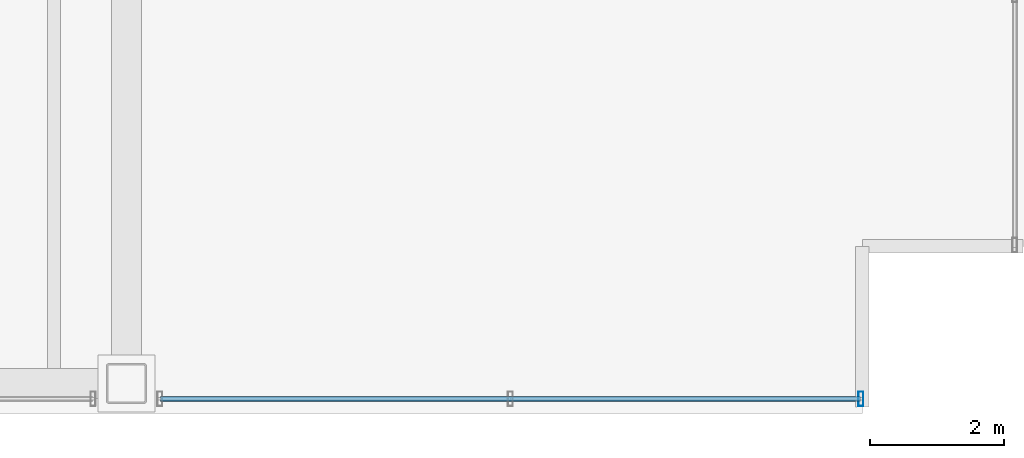
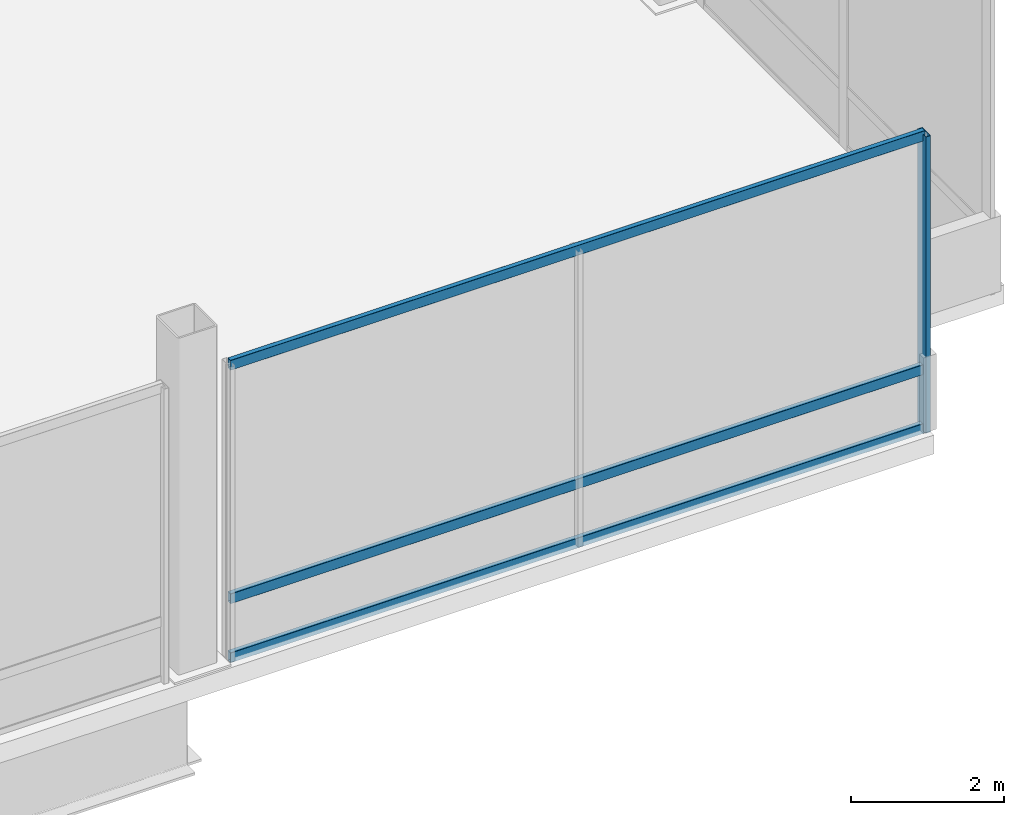
# One storey, part 12 of 20: 4 members, 1 element without a shape of its own.
"""IFC4 building model written with IfcOpenShell, lengths in metres."""

from ifc_helpers import new_model, si_unit, direction, frame, origin, origin_2d, place, context, subcontext, project, spatial, hollow_rectangle, extrude, material, material_profile, profile_set, type_object, element, aggregate, save


model = new_model("IFC4")

# Units and contexts
model_context = context("Model", 3, precision=1e-05, world=origin(), true_north=direction((0.0, 1.0)))
body_context = subcontext(model_context, "Body", "Model", "MODEL_VIEW")
ifc_project = project(units=[si_unit("LENGTHUNIT", "METRE"), si_unit("AREAUNIT", "SQUARE_METRE"), si_unit("VOLUMEUNIT", "CUBIC_METRE"), si_unit("PLANEANGLEUNIT", "RADIAN"), si_unit("MASSUNIT", "GRAM", prefix="KILO")], contexts=[model_context])

# Site, building, storey
site_placement = place(None, origin())
site = spatial("IfcSite", under=ifc_project, at=site_placement, CompositionType="ELEMENT")
building_placement = place(site_placement, origin())
building = spatial("IfcBuilding", under=site, at=building_placement, Name="Noeulbin Bourse Tower", CompositionType="ELEMENT")
storey_placement = place(building_placement, frame((0.0, 0.0, 100.60009765625)))
storey = spatial("IfcBuildingStorey", under=building, at=storey_placement, Name="L25", CompositionType="ELEMENT", Elevation=100.60009765625)

# Curtain wall, members
ifc_material_1 = material(Name="Translucent Ceramic-Fritted Glass", Category="glass")
curtain_wall_type = type_object("IfcCurtainWallType", Name="CW-SYS-5", PredefinedType="NOTDEFINED", material=ifc_material_1)
curtain_wall_placement = place(storey_placement, origin())
curtain_wall = element("IfcCurtainWall", 1, at=curtain_wall_placement, inside=storey, type_object=curtain_wall_type, Name="Unitised Curtain Wall CW-L25-S2-S4", PredefinedType="NOTDEFINED")
ifc_material_2 = material(Name="Anodised Aluminium 6063-T6", Category="aluminium")
ifc_material_profile_1 = material_profile(ifc_material_2, hollow_rectangle(XDim=0.074951171875, YDim=0.219970703125, WallThickness=0.0048828125, InnerFilletRadius=0.00244140625, OuterFilletRadius=0.0048828125, at=origin_2d()), Name="ALU-MULL-75x220x5", Category="LoadBearing")
ifc_profile_set_1 = profile_set([ifc_material_profile_1], Name="Anodised Aluminium 6063-T6")
member_type_1 = type_object("IfcMemberType", Name="CW-SYS-5-MUL", PredefinedType="MULLION", material=ifc_profile_set_1)
member_1_placement = place(storey_placement, frame((54.97998046875, 9.719970703125, -0.02001953125), z_axis=(0.0, 0.0, 1.0), x_axis=(1.0, 0.0, 0.0)))
member_1 = element("IfcMember", 2, at=member_1_placement, type_object=member_type_1, Name="Curtain Wall Mullion CW-L25-S2-S4-M02", PredefinedType="MULLION", context=body_context, shape_type="SweptSolid", body=[
    extrude(hollow_rectangle(XDim=0.074951171875, YDim=0.219970703125, WallThickness=0.0048828125, InnerFilletRadius=0.00244140625, OuterFilletRadius=0.0048828125, at=origin_2d()), origin(), (0.0, 0.0, 1.0), 4.719970703125),
])
ifc_material_profile_2 = material_profile(ifc_material_2, hollow_rectangle(XDim=0.074951171875, YDim=0.159912109375, WallThickness=0.0048828125, InnerFilletRadius=0.00244140625, OuterFilletRadius=0.0048828125, at=origin_2d()), Name="ALU-TRAN-75x160x5", Category="LoadBearing")
ifc_profile_set_2 = profile_set([ifc_material_profile_2], Name="Anodised Aluminium 6063-T6")
member_type_2 = type_object("IfcMemberType", Name="CW-SYS-5-TRN", PredefinedType="USERDEFINED", material=ifc_profile_set_2)
member_2_placement = place(storey_placement, frame((44.510009765625, 9.719970703125, 0.010009765625), z_axis=(1.0, 0.0, 0.0), x_axis=(0.0, 1.0, 0.0)))
member_2 = element("IfcMember", 3, at=member_2_placement, type_object=member_type_2, Name="Curtain Wall Transom CW-L25-S2-S4-T00", ObjectType="TRANSOM", PredefinedType="USERDEFINED", context=body_context, shape_type="SweptSolid", body=[
    extrude(hollow_rectangle(XDim=0.074951171875, YDim=0.159912109375, WallThickness=0.0048828125, InnerFilletRadius=0.00244140625, OuterFilletRadius=0.0048828125, at=origin_2d()), origin(), (0.0, 0.0, 1.0), 10.4599609375),
])
member_3_placement = place(storey_placement, frame((44.510009765625, 9.719970703125, 0.949951171875), z_axis=(1.0, 0.0, 0.0), x_axis=(0.0, 1.0, 0.0)))
member_3 = element("IfcMember", 4, at=member_3_placement, type_object=member_type_2, Name="Curtain Wall Transom CW-L25-S2-S4-T01", ObjectType="TRANSOM", PredefinedType="USERDEFINED", context=body_context, shape_type="SweptSolid", body=[
    extrude(hollow_rectangle(XDim=0.074951171875, YDim=0.159912109375, WallThickness=0.0048828125, InnerFilletRadius=0.00244140625, OuterFilletRadius=0.0048828125, at=origin_2d()), origin(), (0.0, 0.0, 1.0), 10.4599609375),
])
member_4_placement = place(storey_placement, frame((44.510009765625, 9.719970703125, 4.669921875), z_axis=(1.0, 0.0, 0.0), x_axis=(0.0, 1.0, 0.0)))
member_4 = element("IfcMember", 5, at=member_4_placement, type_object=member_type_2, Name="Curtain Wall Transom CW-L25-S2-S4-T02", ObjectType="TRANSOM", PredefinedType="USERDEFINED", context=body_context, shape_type="SweptSolid", body=[
    extrude(hollow_rectangle(XDim=0.074951171875, YDim=0.159912109375, WallThickness=0.0048828125, InnerFilletRadius=0.00244140625, OuterFilletRadius=0.0048828125, at=origin_2d()), origin(), (0.0, 0.0, 1.0), 10.4599609375),
])
aggregate(curtain_wall, [member_1, member_2, member_3, member_4])

save(model, "model.ifc")
